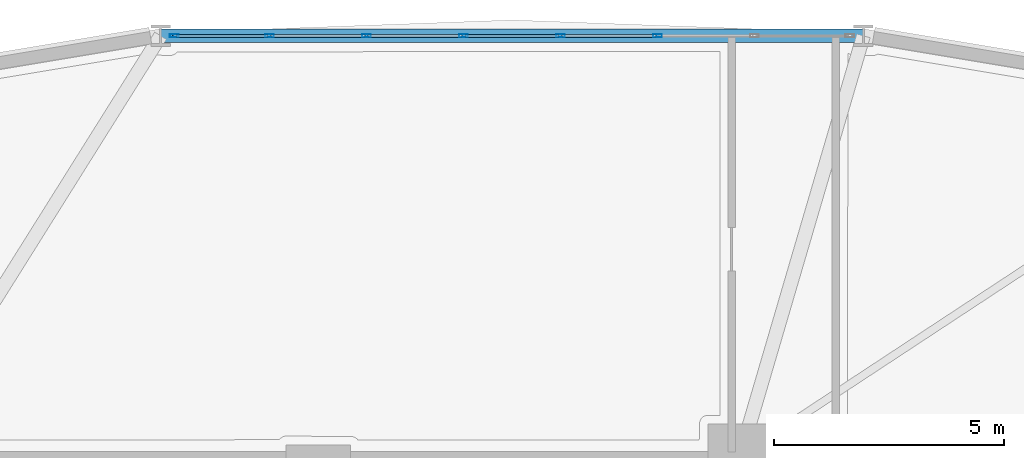
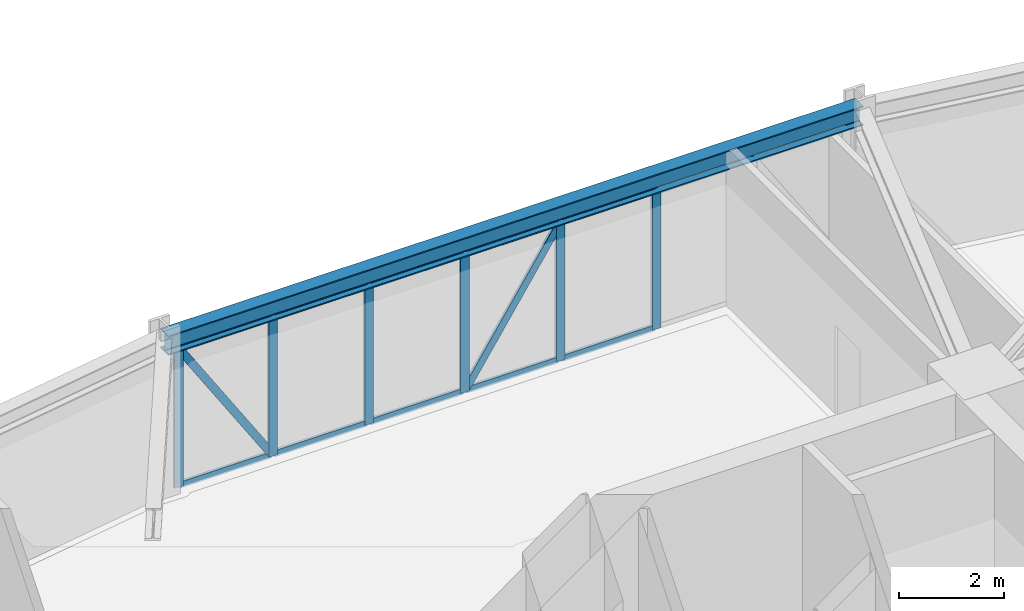
# One storey, part 10 of 20: 18 members, 1 beam, 1 element without a shape of its own.
"""IFC4 building model written with IfcOpenShell, lengths in metres."""

from ifc_helpers import new_model, si_unit, derived_unit, direction, frame, origin, origin_2d, place, context, subcontext, project, spatial, hollow_rectangle, i_section, extrude, source, transform, mapped, material, layer, layer_set, material_profile, profile_set, type_object, element, aggregate, save


model = new_model("IFC4")

# Units and contexts
model_context = context("Model", 3, precision=1e-05, world=origin(), true_north=direction((0.0, 1.0)))
body_context = subcontext(model_context, "Body", "Model", "MODEL_VIEW")
ifc_project = project(units=[si_unit("LENGTHUNIT", "METRE"), si_unit("AREAUNIT", "SQUARE_METRE"), si_unit("VOLUMEUNIT", "CUBIC_METRE"), si_unit("PLANEANGLEUNIT", "RADIAN"), si_unit("MASSUNIT", "GRAM", prefix="KILO"), derived_unit("THERMALTRANSMITTANCEUNIT", [(si_unit("POWERUNIT", "WATT"), 1), (si_unit("LENGTHUNIT", "METRE"), -2), (si_unit("THERMODYNAMICTEMPERATUREUNIT", "KELVIN"), -1)])], contexts=[model_context])

# Site, building, storey
site_placement = place(None, origin())
site = spatial("IfcSite", under=ifc_project, at=site_placement, CompositionType="ELEMENT")
building_placement = place(site_placement, origin())
building = spatial("IfcBuilding", under=site, at=building_placement, Name="Korsvarv Bourse and Concert Hall", CompositionType="ELEMENT")
storey_placement = place(building_placement, frame((0.0, 0.0, 67.800048828125)))
storey = spatial("IfcBuildingStorey", under=building, at=storey_placement, Name="L16", CompositionType="ELEMENT", Elevation=67.800048828125)

# Beam
ifc_material_1 = material(Name="Steel S355", Category="steel")
ifc_material_profile_1 = material_profile(ifc_material_1, i_section(OverallWidth=0.300048828125, OverallDepth=0.449951171875, WebThickness=0.013916015625, FlangeThickness=0.02587890625, FilletRadius=0.02099609375, at=origin_2d()), Name="HEB 450")
ifc_profile_set_1 = profile_set([ifc_material_profile_1], Name="Steel S355")
beam_type = type_object("IfcBeamType", Name="BM-HEB450", PredefinedType="SPANDREL", material=ifc_profile_set_1)
shared_shape_1 = source(origin(), body_context, "Body", "SweptSolid", [
    extrude(i_section(OverallWidth=0.300048828125, OverallDepth=0.449951171875, WebThickness=0.013916015625, FlangeThickness=0.02587890625, FilletRadius=0.02099609375, at=origin_2d()), origin(), (0.0, 0.0, 1.0), 15.25341796875),
])
beam_placement = place(storey_placement, frame((47.82666015625, 56.376708984375, 3.454833984375), z_axis=(-1.0, 0.0, 0.0), x_axis=(0.0, -1.0, 0.0)))
element("IfcBeam", 1, at=beam_placement, inside=storey, type_object=beam_type, Name="L16 beam B-08", PredefinedType="SPANDREL", context=body_context, shape_type="MappedRepresentation", body=[
    mapped(shared_shape_1, transform((0.0, 0.0, 0.0), scale=1.0)),
])

# Curtain wall, members
ifc_material_2 = material(Name="Anodised aluminium and triple low-E glazing", Category="glass")
ifc_layer = layer(ifc_material_2, 0.219970703125)
ifc_layer_set = layer_set([ifc_layer], Name="Anodised aluminium and triple low-E glazing")
curtain_wall_type = type_object("IfcCurtainWallType", Name="CW-SYS-1", PredefinedType="NOTDEFINED", material=ifc_layer_set)
curtain_wall_placement = place(storey_placement, origin())
curtain_wall = element("IfcCurtainWall", 2, at=curtain_wall_placement, inside=storey, type_object=curtain_wall_type, Name="L16 CW1 curtain wall CW-L16-F03", PredefinedType="NOTDEFINED")
ifc_material_3 = material(Name="Extruded aluminium EN AW-6063 T66", Category="aluminium")
ifc_material_profile_2 = material_profile(ifc_material_3, hollow_rectangle(XDim=0.070068359375, YDim=0.18994140625, WallThickness=0.0048828125, at=origin_2d()), Name="ALU-M 70x190")
ifc_profile_set_2 = profile_set([ifc_material_profile_2], Name="Extruded aluminium EN AW-6063 T66")
member_type_1 = type_object("IfcMemberType", Name="CWM-190", PredefinedType="MULLION", material=ifc_profile_set_2)
shared_shape_2 = source(origin(), body_context, "Body", "SweptSolid", [
    extrude(hollow_rectangle(XDim=0.070068359375, YDim=0.18994140625, WallThickness=0.0048828125, at=origin_2d()), origin(), (0.0, 0.0, 1.0), 3.22998046875),
])
member_1_placement = place(storey_placement, frame((43.356201171875, 56.376708984375, 0.0), z_axis=(0.0, 0.0, 1.0), x_axis=(0.0, -1.0, 0.0)))
member_1 = element("IfcMember", 3, at=member_1_placement, type_object=member_type_1, Name="CW1 mullion 3", PredefinedType="MULLION", context=body_context, shape_type="MappedRepresentation", body=[
    mapped(shared_shape_2, transform((0.0, 0.0, 0.0), scale=1.0)),
])
member_2_placement = place(storey_placement, frame((41.252197265625, 56.376708984375, 0.0), z_axis=(0.0, 0.0, 1.0), x_axis=(0.0, -1.0, 0.0)))
member_2 = element("IfcMember", 4, at=member_2_placement, type_object=member_type_1, Name="CW1 mullion 4", PredefinedType="MULLION", context=body_context, shape_type="MappedRepresentation", body=[
    mapped(shared_shape_2, transform((0.0, 0.0, 0.0), scale=1.0)),
])
member_3_placement = place(storey_placement, frame((39.14794921875, 56.376708984375, 0.0), z_axis=(0.0, 0.0, 1.0), x_axis=(0.0, -1.0, 0.0)))
member_3 = element("IfcMember", 5, at=member_3_placement, type_object=member_type_1, Name="CW1 mullion 5", PredefinedType="MULLION", context=body_context, shape_type="MappedRepresentation", body=[
    mapped(shared_shape_2, transform((0.0, 0.0, 0.0), scale=1.0)),
])
member_4_placement = place(storey_placement, frame((37.043701171875, 56.376708984375, 0.0), z_axis=(0.0, 0.0, 1.0), x_axis=(0.0, -1.0, 0.0)))
member_4 = element("IfcMember", 6, at=member_4_placement, type_object=member_type_1, Name="CW1 mullion 6", PredefinedType="MULLION", context=body_context, shape_type="MappedRepresentation", body=[
    mapped(shared_shape_2, transform((0.0, 0.0, 0.0), scale=1.0)),
])
member_5_placement = place(storey_placement, frame((34.939453125, 56.376708984375, 0.0), z_axis=(0.0, 0.0, 1.0), x_axis=(0.0, -1.0, 0.0)))
member_5 = element("IfcMember", 7, at=member_5_placement, type_object=member_type_1, Name="CW1 mullion 7", PredefinedType="MULLION", context=body_context, shape_type="MappedRepresentation", body=[
    mapped(shared_shape_2, transform((0.0, 0.0, 0.0), scale=1.0)),
])
member_6_placement = place(storey_placement, frame((32.870361328125, 56.376708984375, 0.0), z_axis=(0.0, 0.0, 1.0), x_axis=(0.0, -1.0, 0.0)))
member_6 = element("IfcMember", 8, at=member_6_placement, type_object=member_type_1, Name="CW1 mullion 8", PredefinedType="MULLION", context=body_context, shape_type="MappedRepresentation", body=[
    mapped(shared_shape_2, transform((0.0, 0.0, 0.0), scale=1.0)),
])
ifc_material_profile_3 = material_profile(ifc_material_3, hollow_rectangle(XDim=0.06494140625, YDim=0.139892578125, WallThickness=0.00390625, at=origin_2d()), Name="ALU-T 65x140")
ifc_profile_set_3 = profile_set([ifc_material_profile_3], Name="Extruded aluminium EN AW-6063 T66")
member_type_2 = type_object("IfcMemberType", Name="CWT-140", PredefinedType="USERDEFINED", material=ifc_profile_set_3)
shared_shape_3 = source(origin(), body_context, "Body", "SweptSolid", [
    extrude(hollow_rectangle(XDim=0.06494140625, YDim=0.139892578125, WallThickness=0.00390625, at=origin_2d()), origin(), (0.0, 0.0, 1.0), 2.0341796875),
])
member_7_placement = place(storey_placement, frame((43.3212890625, 56.376708984375, 0.032470703125), z_axis=(-1.0, 0.0, 0.0), x_axis=(0.0, -1.0, 0.0)))
member_7 = element("IfcMember", 9, at=member_7_placement, type_object=member_type_2, Name="CW1 transom 3.1", ObjectType="TRANSOM", PredefinedType="USERDEFINED", context=body_context, shape_type="MappedRepresentation", body=[
    mapped(shared_shape_3, transform((0.0, 0.0, 0.0), scale=1.0)),
])
member_8_placement = place(storey_placement, frame((43.3212890625, 56.376708984375, 3.197509765625), z_axis=(-1.0, 0.0, 0.0), x_axis=(0.0, -1.0, 0.0)))
member_8 = element("IfcMember", 10, at=member_8_placement, type_object=member_type_2, Name="CW1 transom 3.2", ObjectType="TRANSOM", PredefinedType="USERDEFINED", context=body_context, shape_type="MappedRepresentation", body=[
    mapped(shared_shape_3, transform((0.0, 0.0, 0.0), scale=1.0)),
])
member_9_placement = place(storey_placement, frame((41.217041015625, 56.376708984375, 0.032470703125), z_axis=(-1.0, 0.0, 0.0), x_axis=(0.0, -1.0, 0.0)))
member_9 = element("IfcMember", 11, at=member_9_placement, type_object=member_type_2, Name="CW1 transom 4.1", ObjectType="TRANSOM", PredefinedType="USERDEFINED", context=body_context, shape_type="MappedRepresentation", body=[
    mapped(shared_shape_3, transform((0.0, 0.0, 0.0), scale=1.0)),
])
member_10_placement = place(storey_placement, frame((41.217041015625, 56.376708984375, 3.197509765625), z_axis=(-1.0, 0.0, 0.0), x_axis=(0.0, -1.0, 0.0)))
member_10 = element("IfcMember", 12, at=member_10_placement, type_object=member_type_2, Name="CW1 transom 4.2", ObjectType="TRANSOM", PredefinedType="USERDEFINED", context=body_context, shape_type="MappedRepresentation", body=[
    mapped(shared_shape_3, transform((0.0, 0.0, 0.0), scale=1.0)),
])
member_11_placement = place(storey_placement, frame((39.11279296875, 56.376708984375, 0.032470703125), z_axis=(-1.0, 0.0, 0.0), x_axis=(0.0, -1.0, 0.0)))
member_11 = element("IfcMember", 13, at=member_11_placement, type_object=member_type_2, Name="CW1 transom 5.1", ObjectType="TRANSOM", PredefinedType="USERDEFINED", context=body_context, shape_type="MappedRepresentation", body=[
    mapped(shared_shape_3, transform((0.0, 0.0, 0.0), scale=1.0)),
])
member_12_placement = place(storey_placement, frame((39.11279296875, 56.376708984375, 3.197509765625), z_axis=(-1.0, 0.0, 0.0), x_axis=(0.0, -1.0, 0.0)))
member_12 = element("IfcMember", 14, at=member_12_placement, type_object=member_type_2, Name="CW1 transom 5.2", ObjectType="TRANSOM", PredefinedType="USERDEFINED", context=body_context, shape_type="MappedRepresentation", body=[
    mapped(shared_shape_3, transform((0.0, 0.0, 0.0), scale=1.0)),
])
member_13_placement = place(storey_placement, frame((37.0087890625, 56.376708984375, 0.032470703125), z_axis=(-1.0, 0.0, 0.0), x_axis=(0.0, -1.0, 0.0)))
member_13 = element("IfcMember", 15, at=member_13_placement, type_object=member_type_2, Name="CW1 transom 6.1", ObjectType="TRANSOM", PredefinedType="USERDEFINED", context=body_context, shape_type="MappedRepresentation", body=[
    mapped(shared_shape_3, transform((0.0, 0.0, 0.0), scale=1.0)),
])
member_14_placement = place(storey_placement, frame((37.0087890625, 56.376708984375, 3.197509765625), z_axis=(-1.0, 0.0, 0.0), x_axis=(0.0, -1.0, 0.0)))
member_14 = element("IfcMember", 16, at=member_14_placement, type_object=member_type_2, Name="CW1 transom 6.2", ObjectType="TRANSOM", PredefinedType="USERDEFINED", context=body_context, shape_type="MappedRepresentation", body=[
    mapped(shared_shape_3, transform((0.0, 0.0, 0.0), scale=1.0)),
])
shared_shape_4 = source(origin(), body_context, "Body", "SweptSolid", [
    extrude(hollow_rectangle(XDim=0.06494140625, YDim=0.139892578125, WallThickness=0.00390625, at=origin_2d()), origin(), (0.0, 0.0, 1.0), 1.999267578125),
])
member_15_placement = place(storey_placement, frame((34.904541015625, 56.376708984375, 0.032470703125), z_axis=(-1.0, 0.0, 0.0), x_axis=(0.0, -1.0, 0.0)))
member_15 = element("IfcMember", 17, at=member_15_placement, type_object=member_type_2, Name="CW1 transom 7.1", ObjectType="TRANSOM", PredefinedType="USERDEFINED", context=body_context, shape_type="MappedRepresentation", body=[
    mapped(shared_shape_4, transform((0.0, 0.0, 0.0), scale=1.0)),
])
member_16_placement = place(storey_placement, frame((34.904541015625, 56.376708984375, 3.197509765625), z_axis=(-1.0, 0.0, 0.0), x_axis=(0.0, -1.0, 0.0)))
member_16 = element("IfcMember", 18, at=member_16_placement, type_object=member_type_2, Name="CW1 transom 7.2", ObjectType="TRANSOM", PredefinedType="USERDEFINED", context=body_context, shape_type="MappedRepresentation", body=[
    mapped(shared_shape_4, transform((0.0, 0.0, 0.0), scale=1.0)),
])
ifc_material_profile_4 = material_profile(ifc_material_3, hollow_rectangle(XDim=0.06494140625, YDim=0.1650390625, WallThickness=0.0048828125, at=origin_2d()), Name="ALU-M 65x165")
ifc_profile_set_4 = profile_set([ifc_material_profile_4], Name="Extruded aluminium EN AW-6063 T66")
member_type_3 = type_object("IfcMemberType", Name="CWM-165", PredefinedType="MULLION", material=ifc_profile_set_4)
shared_shape_5 = source(origin(), body_context, "Body", "SweptSolid", [
    extrude(hollow_rectangle(XDim=0.06494140625, YDim=0.1650390625, WallThickness=0.0048828125, at=origin_2d()), origin(), (0.0, 0.0, 1.0), 3.7080078125),
])
member_17_placement = place(storey_placement, frame((39.182861328125, 56.376708984375, 0.06494140625), z_axis=(0.54860754112, 0.0, 0.836079999657), x_axis=(0.0, 1.0, 0.0)))
member_17 = element("IfcMember", 19, at=member_17_placement, type_object=member_type_3, Name="CW1 diagonal mullion 4", PredefinedType="MULLION", context=body_context, shape_type="MappedRepresentation", body=[
    mapped(shared_shape_5, transform((0.0, 0.0, 0.0), scale=1.0)),
])
shared_shape_6 = source(origin(), body_context, "Body", "SweptSolid", [
    extrude(hollow_rectangle(XDim=0.06494140625, YDim=0.1650390625, WallThickness=0.0048828125, at=origin_2d()), origin(), (0.0, 0.0, 1.0), 3.68896484375),
])
member_18_placement = place(storey_placement, frame((34.904541015625, 56.376708984375, 0.06494140625), z_axis=(-0.541974605416, 0.0, 0.84039486379), x_axis=(0.0, -1.0, 0.0)))
member_18 = element("IfcMember", 20, at=member_18_placement, type_object=member_type_3, Name="CW1 diagonal mullion 7", PredefinedType="MULLION", context=body_context, shape_type="MappedRepresentation", body=[
    mapped(shared_shape_6, transform((0.0, 0.0, 0.0), scale=1.0)),
])
aggregate(curtain_wall, [member_1, member_2, member_3, member_4, member_5, member_6, member_7, member_8, member_9, member_10, member_17, member_11, member_12, member_13, member_14, member_15, member_16, member_18])

save(model, "model.ifc")
